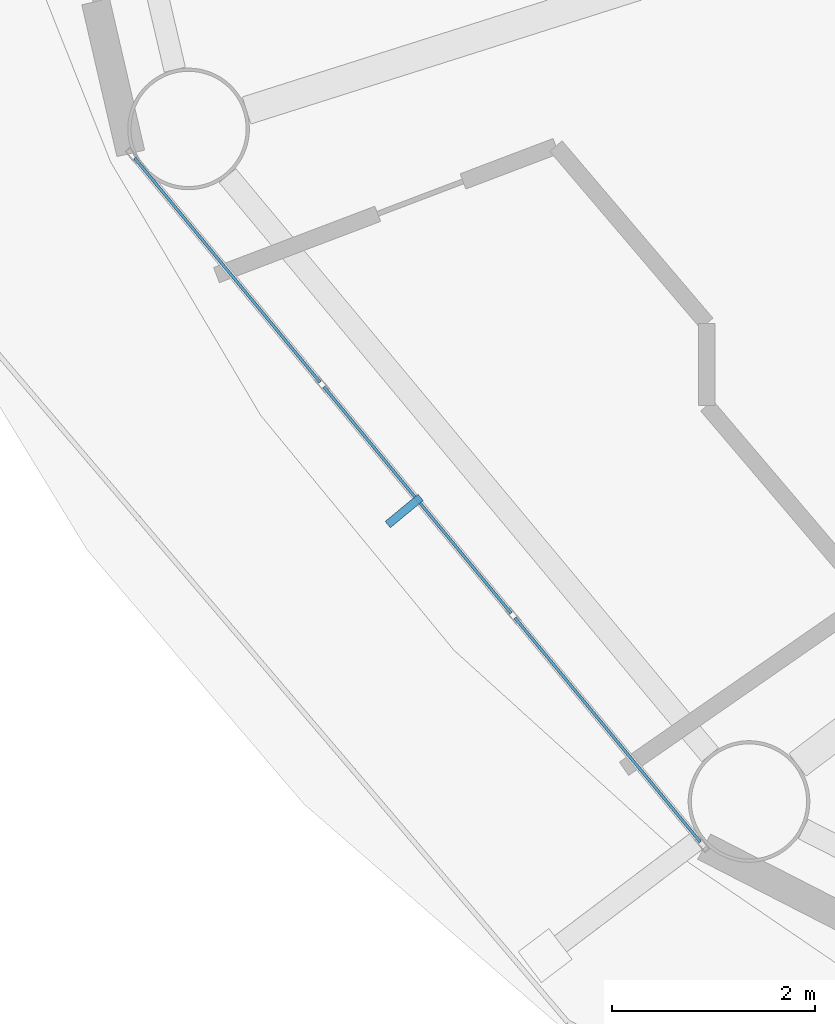
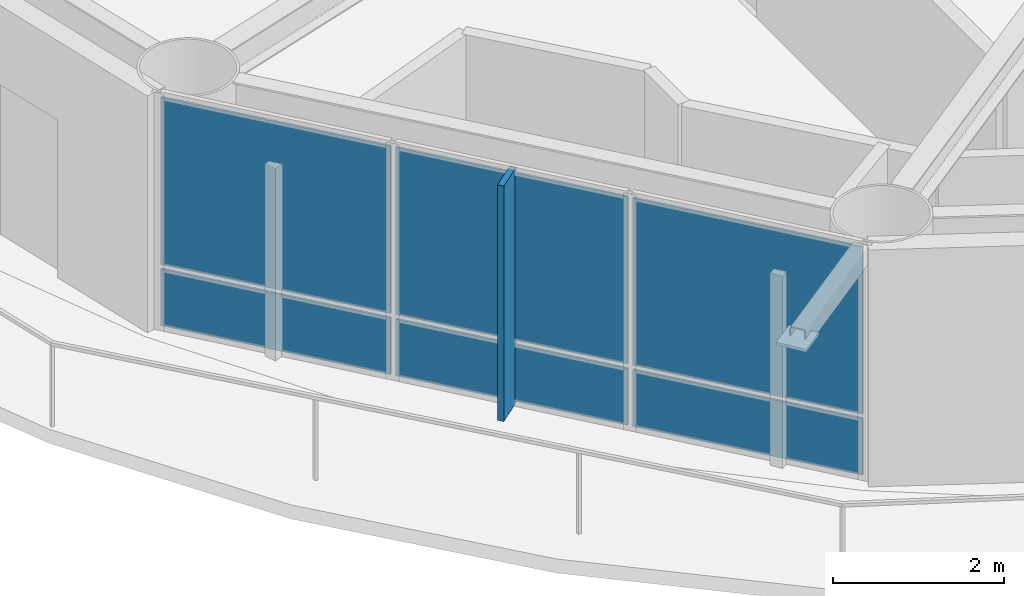
# One storey, part 17 of 28: 7 plates, 1 element without a shape of its own.
"""IFC4 building model written with IfcOpenShell, lengths in metres."""

from ifc_helpers import new_model, si_unit, direction, frame, origin, origin_2d, place, context, subcontext, project, spatial, rectangle, extrude, material, layer, layer_set, type_object, element, aggregate, save


model = new_model("IFC4")

# Units and contexts
model_context = context("Model", 3, precision=1e-05, world=origin(), true_north=direction((0.0, 1.0)))
body_context = subcontext(model_context, "Body", "Model", "MODEL_VIEW")
ifc_project = project(units=[si_unit("LENGTHUNIT", "METRE"), si_unit("AREAUNIT", "SQUARE_METRE"), si_unit("VOLUMEUNIT", "CUBIC_METRE"), si_unit("PLANEANGLEUNIT", "RADIAN"), si_unit("MASSUNIT", "GRAM", prefix="KILO")], contexts=[model_context])

# Site, building, storey
site_placement = place(None, origin())
site = spatial("IfcSite", under=ifc_project, at=site_placement, CompositionType="ELEMENT")
building_placement = place(site_placement, origin())
building = spatial("IfcBuilding", under=site, at=building_placement, Name="Sarneth Arch Tower", CompositionType="ELEMENT")
storey_placement = place(building_placement, frame((0.0, 0.0, 190.199951171875)))
storey = spatial("IfcBuildingStorey", under=building, at=storey_placement, Name="L48", CompositionType="ELEMENT", Elevation=190.199951171875)

# Curtain wall, plates
ifc_material_1 = material(Name="Anodised aluminium Type AA25 and solar-control low-e laminated IGU", Category="aluminium")
ifc_layer_1 = layer(ifc_material_1, 0.169921875)
ifc_layer_set_1 = layer_set([ifc_layer_1], Name="Anodised aluminium Type AA25 and solar-control low-e laminated IGU")
curtain_wall_type = type_object("IfcCurtainWallType", Name="CW-RES-MID", PredefinedType="NOTDEFINED", material=ifc_layer_set_1)
curtain_wall_placement = place(storey_placement, origin())
curtain_wall = element("IfcCurtainWall", 1, at=curtain_wall_placement, inside=storey, type_object=curtain_wall_type, Name="L48 Unitised curtain wall facet 10", PredefinedType="NOTDEFINED")
ifc_material_2 = material(Name="Solar-control low-e laminated IGU", Category="glass")
ifc_layer_2 = layer(ifc_material_2, 0.028076171875)
ifc_layer_set_2 = layer_set([ifc_layer_2], Name="Solar-control low-e laminated IGU")
plate_type_1 = type_object("IfcPlateType", Name="CW-PANEL", PredefinedType="CURTAIN_PANEL", material=ifc_layer_set_2)
plate_1_placement = place(storey_placement, frame((23.719970703125, 32.78173828125, 0.06005859375), z_axis=(0.0, 0.0, 1.0), x_axis=(0.637330298558, -0.770590741276, 0.0)))
plate_1 = element("IfcPlate", 2, at=plate_1_placement, type_object=plate_type_1, Name="Curtain wall glazed vision pane CW-L48-F10/P00-00", PredefinedType="CURTAIN_PANEL", context=body_context, shape_type="SweptSolid", body=[
    extrude(rectangle(XDim=2.8681640625, YDim=0.028076171875, at=origin_2d()), origin(), (0.0, 0.0, 1.0), 0.81005859375),
])
plate_2_placement = place(storey_placement, frame((23.719970703125, 32.78173828125, 0.93017578125), z_axis=(0.0, 0.0, 1.0), x_axis=(0.637330298558, -0.770590741276, 0.0)))
plate_2 = element("IfcPlate", 3, at=plate_2_placement, type_object=plate_type_1, Name="Curtain wall glazed vision pane CW-L48-F10/P00-01", PredefinedType="CURTAIN_PANEL", context=body_context, shape_type="SweptSolid", body=[
    extrude(rectangle(XDim=2.8681640625, YDim=0.028076171875, at=origin_2d()), origin(), (0.0, 0.0, 1.0), 2.389892578125),
])
plate_3_placement = place(storey_placement, frame((25.595703125, 30.513671875, 0.06005859375), z_axis=(0.0, 0.0, 1.0), x_axis=(0.637330298558, -0.770590741276, 0.0)))
plate_3 = element("IfcPlate", 4, at=plate_3_placement, type_object=plate_type_1, Name="Curtain wall glazed vision pane CW-L48-F10/P01-00", PredefinedType="CURTAIN_PANEL", context=body_context, shape_type="SweptSolid", body=[
    extrude(rectangle(XDim=2.898193359375, YDim=0.028076171875, at=origin_2d()), origin(), (0.0, 0.0, 1.0), 0.81005859375),
])
plate_4_placement = place(storey_placement, frame((25.595703125, 30.513671875, 0.93017578125), z_axis=(0.0, 0.0, 1.0), x_axis=(0.637330298558, -0.770590741276, 0.0)))
plate_4 = element("IfcPlate", 5, at=plate_4_placement, type_object=plate_type_1, Name="Curtain wall glazed vision pane CW-L48-F10/P01-01", PredefinedType="CURTAIN_PANEL", context=body_context, shape_type="SweptSolid", body=[
    extrude(rectangle(XDim=2.898193359375, YDim=0.028076171875, at=origin_2d()), origin(), (0.0, 0.0, 1.0), 2.389892578125),
])
plate_5_placement = place(storey_placement, frame((27.4716796875, 28.24560546875, 0.06005859375), z_axis=(0.0, 0.0, 1.0), x_axis=(0.637330298558, -0.770590741276, 0.0)))
plate_5 = element("IfcPlate", 6, at=plate_5_placement, type_object=plate_type_1, Name="Curtain wall glazed vision pane CW-L48-F10/P02-00", PredefinedType="CURTAIN_PANEL", context=body_context, shape_type="SweptSolid", body=[
    extrude(rectangle(XDim=2.8681640625, YDim=0.028076171875, at=origin_2d()), origin(), (0.0, 0.0, 1.0), 0.81005859375),
])
plate_6_placement = place(storey_placement, frame((27.4716796875, 28.24560546875, 0.93017578125), z_axis=(0.0, 0.0, 1.0), x_axis=(0.637330298558, -0.770590741276, 0.0)))
plate_6 = element("IfcPlate", 7, at=plate_6_placement, type_object=plate_type_1, Name="Curtain wall glazed vision pane CW-L48-F10/P02-01", PredefinedType="CURTAIN_PANEL", context=body_context, shape_type="SweptSolid", body=[
    extrude(rectangle(XDim=2.8681640625, YDim=0.028076171875, at=origin_2d()), origin(), (0.0, 0.0, 1.0), 2.389892578125),
])
aggregate(curtain_wall, [plate_1, plate_2, plate_3, plate_4, plate_5, plate_6])

# Plate
ifc_material_3 = material(Name="Extruded glazed terracotta baguette fin on Aluminium 6063-T6 carrier", Category="masonry")
ifc_layer_3 = layer(ifc_material_3, 0.080078125)
ifc_layer_set_3 = layer_set([ifc_layer_3], Name="Extruded glazed terracotta baguette fin on Aluminium 6063-T6 carrier")
plate_type_2 = type_object("IfcPlateType", Name="SHADE-TERRA-FIN", PredefinedType="SHEET", material=ifc_layer_set_3)
plate_7_placement = place(storey_placement, frame((25.46484375, 30.4052734375, 0.009765625), z_axis=(0.0, 0.0, 1.0), x_axis=(-0.770624482513, -0.637289500111, 0.0)))
element("IfcPlate", 8, at=plate_7_placement, inside=storey, type_object=plate_type_2, Name="L48 Terracotta vertical shading fin 10", PredefinedType="SHEET", context=body_context, shape_type="SweptSolid", body=[
    extrude(rectangle(XDim=0.419921875, YDim=0.080078125, at=origin_2d()), origin(), (0.0, 0.0, 1.0), 3.360107421875),
])

save(model, "model.ifc")
